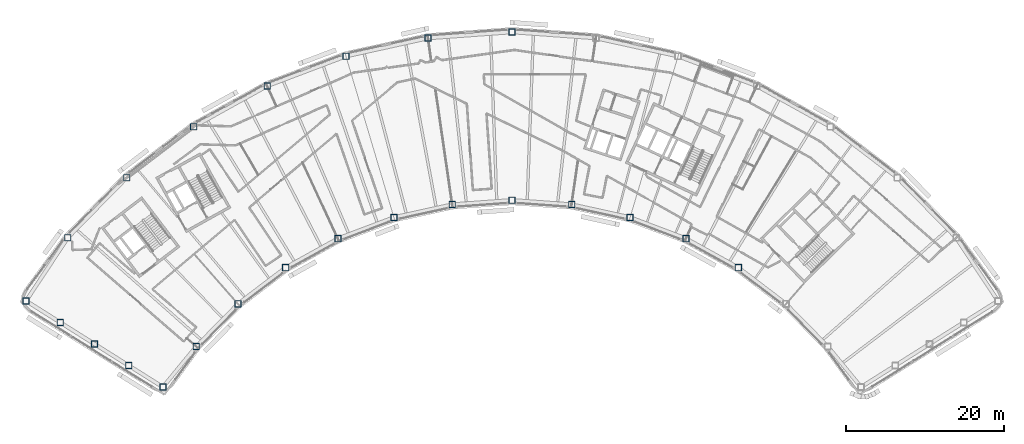
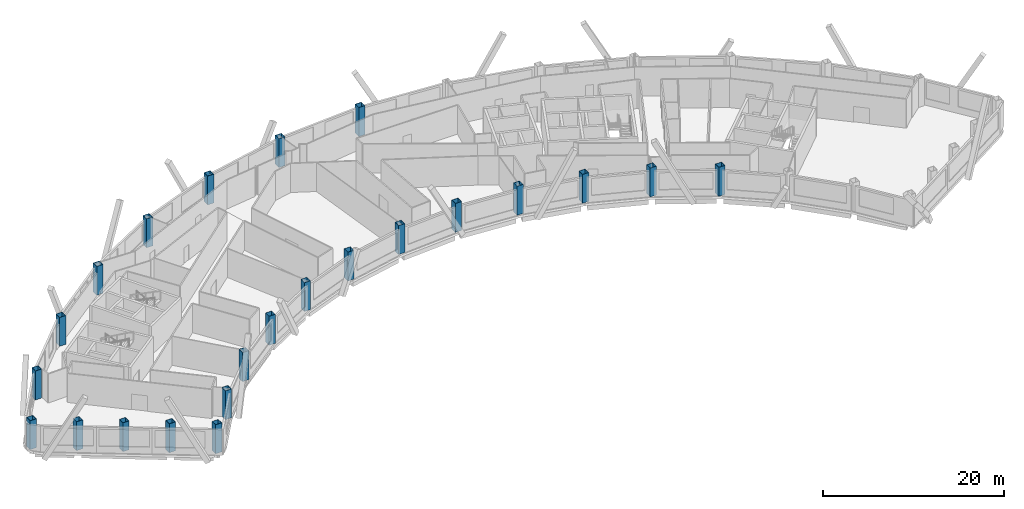
# One storey, part 1 of 14: 23 columns.
"""IFC4 building model written with IfcOpenShell, lengths in metres."""

from ifc_helpers import new_model, si_unit, direction, frame, origin, origin_2d, place, context, subcontext, project, spatial, hollow_rectangle, extrude, material, material_profile, profile_set, type_object, element, save


model = new_model("IFC4")

# Units and contexts
model_context = context("Model", 3, precision=1e-05, world=origin(), true_north=direction((0.0, 1.0)))
body_context = subcontext(model_context, "Body", "Model", "MODEL_VIEW")
ifc_project = project(units=[si_unit("LENGTHUNIT", "METRE"), si_unit("AREAUNIT", "SQUARE_METRE"), si_unit("VOLUMEUNIT", "CUBIC_METRE"), si_unit("PLANEANGLEUNIT", "RADIAN"), si_unit("MASSUNIT", "GRAM", prefix="KILO")], contexts=[model_context])

# Site, building, storey
site_placement = place(None, origin())
site = spatial("IfcSite", under=ifc_project, at=site_placement, CompositionType="ELEMENT")
building_placement = place(site_placement, origin())
building = spatial("IfcBuilding", under=site, at=building_placement, Name="Tuul Gate Civic Tower", CompositionType="ELEMENT")
storey_placement = place(building_placement, frame((0.0, 0.0, 265.199951171875)))
storey = spatial("IfcBuildingStorey", under=building, at=storey_placement, Name="Level 60", CompositionType="ELEMENT", Elevation=265.199951171875)

# Columns
ifc_material = material(Name="Steel S355", Category="steel")
ifc_material_profile = material_profile(ifc_material, hollow_rectangle(XDim=0.800048828125, YDim=0.800048828125, WallThickness=0.031982421875, at=origin_2d()), Name="BOX800x800x32")
ifc_profile_set = profile_set([ifc_material_profile], Name="Steel S355")
column_type = type_object("IfcColumnType", Name="STR-COLUMN-BOX800x800x32", PredefinedType="COLUMN", material=ifc_profile_set)
for number, where, z_axis, x_axis, name in (
    (1, (11.031005859375, 13.47412109375, 0.0), (0.0, 0.0, 1.0), (1.0, 0.0, 0.0), "Column"),
    (2, (0.381103515625, 12.702880859375, 0.0), (0.0, 0.0, 1.0), (1.0, 0.0, 0.0), "Column"),
    (3, (-10.0458984375, 10.405029296875, 0.0), (0.0, 0.0, 1.0), (1.0, 0.0, 0.0), "Column"),
    (4, (-20.032958984375, 6.6279296875, 0.0), (0.0, 0.0, 1.0), (1.0, 0.0, 0.0), "Column"),
    (5, (-29.37109375, 1.451904296875, 0.0), (0.0, 0.0, 1.0), (1.0, 0.0, 0.0), "Column"),
    (6, (-37.866943359375, -5.01708984375, 0.0), (0.0, 0.0, 1.0), (1.0, 0.0, 0.0), "Column"),
    (7, (-45.341064453125, -12.64208984375, 0.0), (0.0, 0.0, 1.0), (1.0, 0.0, 0.0), "Column"),
    (8, (-50.639892578125, -20.654052734375, 0.0), (0.0, 0.0, 1.0), (1.0, 0.0, 0.0), "Column"),
    (9, (-46.298095703125, -23.388916015625, 0.0), (0.0, 0.0, 1.0), (1.0, 0.0, 0.0), "Column"),
    (10, (-41.955078125, -26.123046875, 0.0), (0.0, 0.0, 1.0), (1.0, 0.0, 0.0), "Column"),
    (11, (-37.613037109375, -28.85791015625, 0.0), (0.0, 0.0, 1.0), (1.0, 0.0, 0.0), "Column"),
    (12, (-33.27001953125, -31.592041015625, 0.0), (0.0, 0.0, 1.0), (1.0, 0.0, 0.0), "Column"),
    (13, (-29.050048828125, -26.449951171875, 0.0), (0.0, 0.0, 1.0), (1.0, 0.0, 0.0), "Column"),
    (14, (-23.736083984375, -21.029052734375, 0.0), (0.0, 0.0, 1.0), (1.0, 0.0, 0.0), "Column"),
    (15, (-17.696044921875, -16.429931640625, 0.0), (0.0, 0.0, 1.0), (1.0, 0.0, 0.0), "Column"),
    (16, (-11.055908203125, -12.7490234375, 0.0), (0.0, 0.0, 1.0), (1.0, 0.0, 0.0), "Column"),
    (17, (-3.955078125, -10.06396484375, 0.0), (0.0, 0.0, 1.0), (1.0, 0.0, 0.0), "Column"),
    (18, (3.458984375, -8.429931640625, 0.0), (0.0, 0.0, 1.0), (1.0, 0.0, 0.0), "Column"),
    (19, (11.031005859375, -7.882080078125, 0.0), (0.0, 0.0, 1.0), (1.0, 0.0, 0.0), "Column"),
    (20, (18.60302734375, -8.429931640625, 0.0), (0.0, 0.0, 1.0), (1.0, 0.0, 0.0), "Column"),
    (21, (26.01708984375, -10.06396484375, 0.0), (0.0, 0.0, 1.0), (1.0, 0.0, 0.0), "Column"),
    (22, (33.117919921875, -12.7490234375, 0.0), (0.0, 0.0, 1.0), (1.0, 0.0, 0.0), "Column"),
    (23, (39.757080078125, -16.429931640625, 0.0), (0.0, 0.0, 1.0), (1.0, 0.0, 0.0), "Column"),
):
    element("IfcColumn", number, at=place(storey_placement, frame(where, z_axis=z_axis, x_axis=x_axis)), inside=storey, type_object=column_type, Name=name, PredefinedType="COLUMN", context=body_context, shape_type="SweptSolid", body=[
        extrude(hollow_rectangle(XDim=0.800048828125, YDim=0.800048828125, WallThickness=0.031982421875, at=origin_2d()), origin(), (0.0, 0.0, 1.0), 3.900146484375),
    ])

save(model, "model.ifc")
